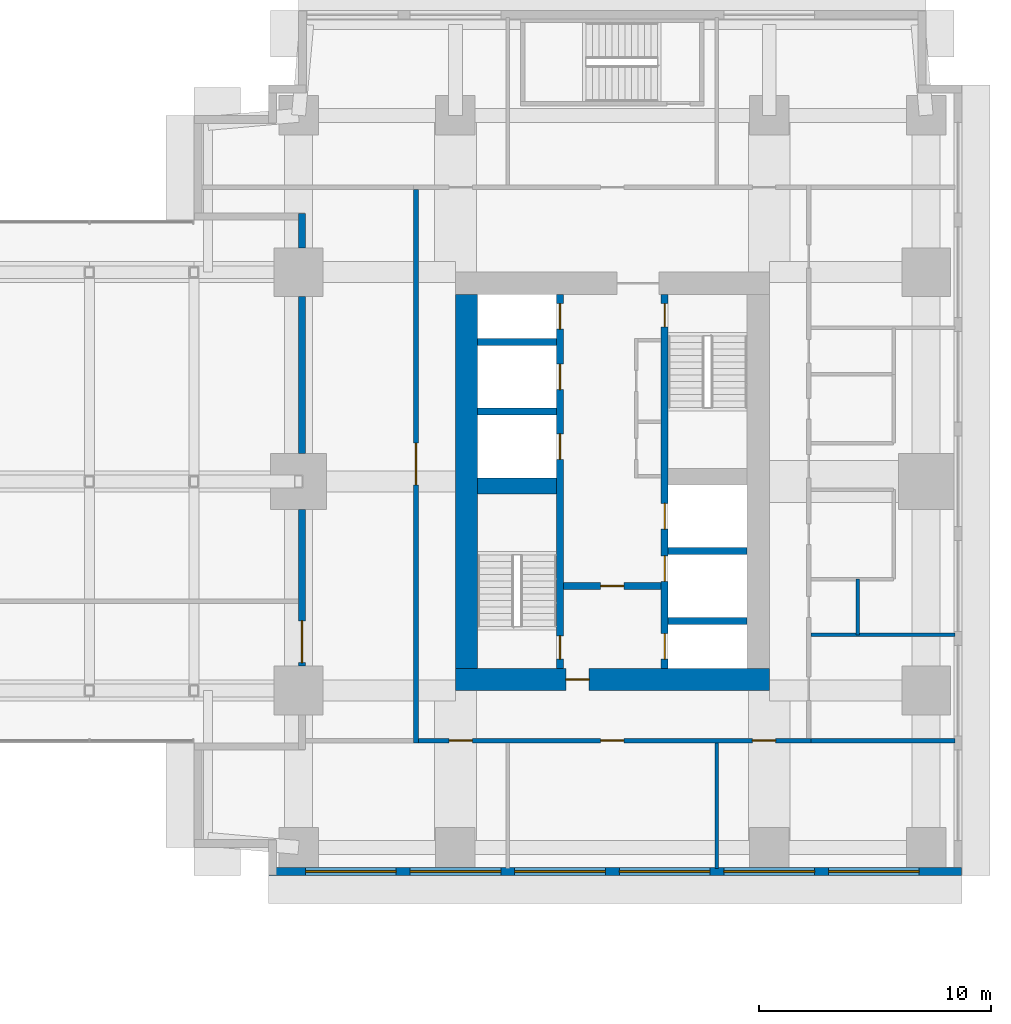
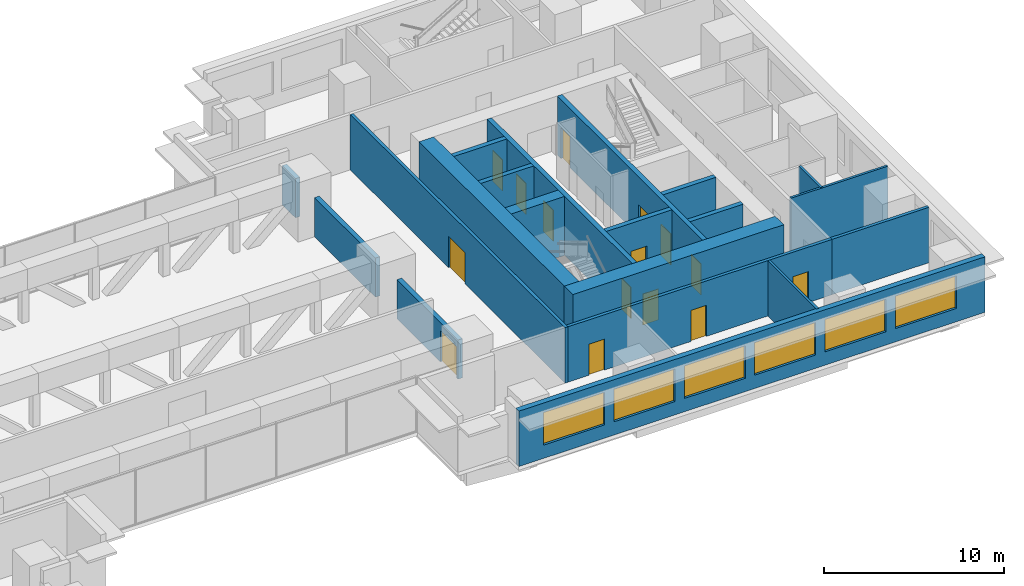
# One storey, part 10 of 15: 20 walls, 15 doors, 6 windows, 21 openings.
"""IFC4 building model written with IfcOpenShell, lengths in metres."""

from ifc_helpers import new_model, si_unit, direction, frame, frame_2d, origin, place, context, subcontext, project, spatial, rectangle, extrude, material, layer, layer_set, type_object, element, fill, save


model = new_model("IFC4")

# Units and contexts
model_context = context("Model", 3, precision=1e-05, world=origin(), true_north=direction((0.0, 1.0)))
body_context = subcontext(model_context, "Body", "Model", "MODEL_VIEW")
ifc_project = project(units=[si_unit("LENGTHUNIT", "METRE"), si_unit("AREAUNIT", "SQUARE_METRE"), si_unit("VOLUMEUNIT", "CUBIC_METRE"), si_unit("PLANEANGLEUNIT", "RADIAN"), si_unit("MASSUNIT", "GRAM", prefix="KILO")], contexts=[model_context])

# Site, building, storey
site_placement = place(None, origin())
site = spatial("IfcSite", under=ifc_project, at=site_placement, CompositionType="ELEMENT")
building_placement = place(site_placement, origin())
building = spatial("IfcBuilding", under=site, at=building_placement, Name="Namib Vertical Campus", CompositionType="ELEMENT")
storey_placement = place(building_placement, frame((0.0, 0.0, 105.0)))
storey = spatial("IfcBuildingStorey", under=building, at=storey_placement, Name="L24", CompositionType="ELEMENT", Elevation=105.0)

# Wall, openings, doors
ifc_material_1 = material(Name="Concrete C60/75", Category="concrete")
ifc_layer_1 = layer(ifc_material_1, 0.300048828125)
ifc_layer_set_1 = layer_set([ifc_layer_1], Name="Concrete C60/75")
wall_type_1 = type_object("IfcWallType", Name="Core inner wall 300", PredefinedType="SHEAR", material=ifc_layer_set_1)
wall_1_placement = place(storey_placement, frame((78.75, 12.199951171875, 0.0), z_axis=(0.0, 0.0, 1.0), x_axis=(0.0, 1.0, 0.0)))
wall_1 = element("IfcWall", 1, at=wall_1_placement, inside=storey, type_object=wall_type_1, Name="Core inner wall B L24 W1", PredefinedType="SHEAR", context=body_context, shape_type="SweptSolid", body=[
    extrude(rectangle(XDim=16.10009765625, YDim=0.300048828125, at=frame_2d((8.050048828125, 0.0))), origin(), (0.0, 0.0, 1.0), 4.0),
])
opening_1_placement = place(wall_1_placement, frame((0.39990234375, 0.0, 0.0)))
opening_1 = element("IfcOpeningElement", 2, at=opening_1_placement, cuts=wall_1, Name="Opening FD1", PredefinedType="OPENING", context=body_context, shape_type="SweptSolid", body=[
    extrude(rectangle(XDim=1.0, YDim=2.10009765625, at=frame_2d((0.5, 1.050048828125))), frame((0.0, 0.159912109375, 0.0), z_axis=(0.0, -1.0, 0.0), x_axis=(1.0, 0.0, 0.0)), (0.0, 0.0, 1.0), 0.320068359375),
])
opening_2_placement = place(wall_1_placement, frame((9.0, 0.0, 0.0)))
opening_2 = element("IfcOpeningElement", 3, at=opening_2_placement, cuts=wall_1, Name="Opening LD1", PredefinedType="OPENING", context=body_context, shape_type="SweptSolid", body=[
    extrude(rectangle(XDim=1.10009765625, YDim=2.10009765625, at=frame_2d((0.550048828125, 1.050048828125))), frame((0.0, 0.159912109375, 0.0), z_axis=(0.0, -1.0, 0.0), x_axis=(1.0, 0.0, 0.0)), (0.0, 0.0, 1.0), 0.320068359375),
])
opening_3_placement = place(wall_1_placement, frame((12.0, 0.0, 0.0)))
opening_3 = element("IfcOpeningElement", 4, at=opening_3_placement, cuts=wall_1, Name="Opening LD1", PredefinedType="OPENING", context=body_context, shape_type="SweptSolid", body=[
    extrude(rectangle(XDim=1.10009765625, YDim=2.10009765625, at=frame_2d((0.550048828125, 1.050048828125))), frame((0.0, 0.159912109375, 0.0), z_axis=(0.0, -1.0, 0.0), x_axis=(1.0, 0.0, 0.0)), (0.0, 0.0, 1.0), 0.320068359375),
])
opening_4_placement = place(wall_1_placement, frame((14.60009765625, 0.0, 0.0)))
opening_4 = element("IfcOpeningElement", 5, at=opening_4_placement, cuts=wall_1, Name="Opening LD1", PredefinedType="OPENING", context=body_context, shape_type="SweptSolid", body=[
    extrude(rectangle(XDim=1.10009765625, YDim=2.10009765625, at=frame_2d((0.550048828125, 1.050048828125))), frame((0.0, 0.159912109375, 0.0), z_axis=(0.0, -1.0, 0.0), x_axis=(1.0, 0.0, 0.0)), (0.0, 0.0, 1.0), 0.320068359375),
])
ifc_material_2 = material(Name="Steel fire door", Category="steel")
door_type_1 = type_object("IfcDoorType", Name="Fire door 1000x2100", OperationType="SINGLE_SWING_RIGHT", PredefinedType="DOOR", material=ifc_material_2)
door_1_placement = place(opening_1_placement, origin())
door_1 = element("IfcDoor", 6, at=door_1_placement, inside=storey, type_object=door_type_1, Name="Stair door FD1 B L24 S1", OperationType="SINGLE_SWING_LEFT", OverallHeight=2.10009765625, OverallWidth=1.0, PredefinedType="DOOR", context=body_context, shape_type="SweptSolid", body=[
    extrude(rectangle(XDim=1.0, YDim=2.10009765625, at=frame_2d((0.5, 1.050048828125))), frame((0.0, 0.02490234375, 0.0), z_axis=(0.0, -1.0, 0.0), x_axis=(1.0, 0.0, 0.0)), (0.0, 0.0, 1.0), 0.050048828125),
])
fill(opening_1, door_1)
ifc_material_3 = material(Name="Stainless steel lift door", Category="steel")
door_type_2 = type_object("IfcDoorType", Name="Lift landing door 1100x2100", OperationType="DOUBLE_DOOR_SLIDING", PredefinedType="DOOR", material=ifc_material_3)
door_2_placement = place(opening_2_placement, origin())
door_2 = element("IfcDoor", 7, at=door_2_placement, inside=storey, type_object=door_type_2, Name="Lift landing door LD1 B-P1 L24", OperationType="DOUBLE_DOOR_SLIDING", OverallHeight=2.10009765625, OverallWidth=1.10009765625, PredefinedType="DOOR", context=body_context, shape_type="SweptSolid", body=[
    extrude(rectangle(XDim=1.10009765625, YDim=2.10009765625, at=frame_2d((0.550048828125, 1.050048828125))), frame((0.0, 0.02490234375, 0.0), z_axis=(0.0, -1.0, 0.0), x_axis=(1.0, 0.0, 0.0)), (0.0, 0.0, 1.0), 0.050048828125),
])
fill(opening_2, door_2)
door_3_placement = place(opening_3_placement, origin())
door_3 = element("IfcDoor", 8, at=door_3_placement, inside=storey, type_object=door_type_2, Name="Lift landing door LD1 B-P2 L24", OperationType="DOUBLE_DOOR_SLIDING", OverallHeight=2.10009765625, OverallWidth=1.10009765625, PredefinedType="DOOR", context=body_context, shape_type="SweptSolid", body=[
    extrude(rectangle(XDim=1.10009765625, YDim=2.10009765625, at=frame_2d((0.550048828125, 1.050048828125))), frame((0.0, 0.02490234375, 0.0), z_axis=(0.0, -1.0, 0.0), x_axis=(1.0, 0.0, 0.0)), (0.0, 0.0, 1.0), 0.050048828125),
])
fill(opening_3, door_3)
door_4_placement = place(opening_4_placement, origin())
door_4 = element("IfcDoor", 9, at=door_4_placement, inside=storey, type_object=door_type_2, Name="Lift landing door LD1 B-P3 L24", OperationType="DOUBLE_DOOR_SLIDING", OverallHeight=2.10009765625, OverallWidth=1.10009765625, PredefinedType="DOOR", context=body_context, shape_type="SweptSolid", body=[
    extrude(rectangle(XDim=1.10009765625, YDim=2.10009765625, at=frame_2d((0.550048828125, 1.050048828125))), frame((0.0, 0.02490234375, 0.0), z_axis=(0.0, -1.0, 0.0), x_axis=(1.0, 0.0, 0.0)), (0.0, 0.0, 1.0), 0.050048828125),
])
fill(opening_4, door_4)

wall_2_placement = place(storey_placement, frame((83.25, 12.199951171875, 0.0), z_axis=(0.0, 0.0, 1.0), x_axis=(0.0, 1.0, 0.0)))
wall_2 = element("IfcWall", 10, at=wall_2_placement, inside=storey, type_object=wall_type_1, Name="Core inner wall B L24 W2", PredefinedType="SHEAR", context=body_context, shape_type="SweptSolid", body=[
    extrude(rectangle(XDim=16.10009765625, YDim=0.300048828125, at=frame_2d((8.050048828125, 0.0))), origin(), (0.0, 0.0, 1.0), 4.0),
])
opening_5_placement = place(wall_2_placement, frame((14.699951171875, 0.0, 0.0)))
opening_5 = element("IfcOpeningElement", 11, at=opening_5_placement, cuts=wall_2, Name="Opening FD1", PredefinedType="OPENING", context=body_context, shape_type="SweptSolid", body=[
    extrude(rectangle(XDim=1.0, YDim=2.10009765625, at=frame_2d((0.5, 1.050048828125))), frame((0.0, 0.159912109375, 0.0), z_axis=(0.0, -1.0, 0.0), x_axis=(1.0, 0.0, 0.0)), (0.0, 0.0, 1.0), 0.320068359375),
])
opening_6_placement = place(wall_2_placement, frame((0.39990234375, 0.0, 0.0)))
opening_6 = element("IfcOpeningElement", 12, at=opening_6_placement, cuts=wall_2, Name="Opening LD1", PredefinedType="OPENING", context=body_context, shape_type="SweptSolid", body=[
    extrude(rectangle(XDim=1.10009765625, YDim=2.10009765625, at=frame_2d((0.550048828125, 1.050048828125))), frame((0.0, 0.159912109375, 0.0), z_axis=(0.0, -1.0, 0.0), x_axis=(1.0, 0.0, 0.0)), (0.0, 0.0, 1.0), 0.320068359375),
])
opening_7_placement = place(wall_2_placement, frame((3.75, 0.0, 0.0)))
opening_7 = element("IfcOpeningElement", 13, at=opening_7_placement, cuts=wall_2, Name="Opening LD1", PredefinedType="OPENING", context=body_context, shape_type="SweptSolid", body=[
    extrude(rectangle(XDim=1.10009765625, YDim=2.10009765625, at=frame_2d((0.550048828125, 1.050048828125))), frame((0.0, 0.159912109375, 0.0), z_axis=(0.0, -1.0, 0.0), x_axis=(1.0, 0.0, 0.0)), (0.0, 0.0, 1.0), 0.320068359375),
])
opening_8_placement = place(wall_2_placement, frame((6.0, 0.0, 0.0)))
opening_8 = element("IfcOpeningElement", 14, at=opening_8_placement, cuts=wall_2, Name="Opening LD1", PredefinedType="OPENING", context=body_context, shape_type="SweptSolid", body=[
    extrude(rectangle(XDim=1.10009765625, YDim=2.10009765625, at=frame_2d((0.550048828125, 1.050048828125))), frame((0.0, 0.159912109375, 0.0), z_axis=(0.0, -1.0, 0.0), x_axis=(1.0, 0.0, 0.0)), (0.0, 0.0, 1.0), 0.320068359375),
])
door_5_placement = place(opening_5_placement, frame((1.0, 0.0, 0.0), z_axis=(0.0, 0.0, 1.0), x_axis=(-1.0, 0.0, 0.0)))
door_5 = element("IfcDoor", 15, at=door_5_placement, inside=storey, type_object=door_type_1, Name="Stair door FD1 B L24 S2", OperationType="SINGLE_SWING_LEFT", OverallHeight=2.10009765625, OverallWidth=1.0, PredefinedType="DOOR", context=body_context, shape_type="SweptSolid", body=[
    extrude(rectangle(XDim=1.0, YDim=2.10009765625, at=frame_2d((0.5, 1.050048828125))), frame((0.0, 0.02490234375, 0.0), z_axis=(0.0, -1.0, 0.0), x_axis=(1.0, 0.0, 0.0)), (0.0, 0.0, 1.0), 0.050048828125),
])
fill(opening_5, door_5)
door_6_placement = place(opening_6_placement, origin())
door_6 = element("IfcDoor", 16, at=door_6_placement, inside=storey, type_object=door_type_2, Name="Lift landing door LD1 B-FL1 L24", OperationType="DOUBLE_DOOR_SLIDING", OverallHeight=2.10009765625, OverallWidth=1.10009765625, PredefinedType="DOOR", context=body_context, shape_type="SweptSolid", body=[
    extrude(rectangle(XDim=1.10009765625, YDim=2.10009765625, at=frame_2d((0.550048828125, 1.050048828125))), frame((0.0, 0.02490234375, 0.0), z_axis=(0.0, -1.0, 0.0), x_axis=(1.0, 0.0, 0.0)), (0.0, 0.0, 1.0), 0.050048828125),
])
fill(opening_6, door_6)
door_7_placement = place(opening_7_placement, origin())
door_7 = element("IfcDoor", 17, at=door_7_placement, inside=storey, type_object=door_type_2, Name="Lift landing door LD1 B-P4 L24", OperationType="DOUBLE_DOOR_SLIDING", OverallHeight=2.10009765625, OverallWidth=1.10009765625, PredefinedType="DOOR", context=body_context, shape_type="SweptSolid", body=[
    extrude(rectangle(XDim=1.10009765625, YDim=2.10009765625, at=frame_2d((0.550048828125, 1.050048828125))), frame((0.0, 0.02490234375, 0.0), z_axis=(0.0, -1.0, 0.0), x_axis=(1.0, 0.0, 0.0)), (0.0, 0.0, 1.0), 0.050048828125),
])
fill(opening_7, door_7)
door_8_placement = place(opening_8_placement, origin())
door_8 = element("IfcDoor", 18, at=door_8_placement, inside=storey, type_object=door_type_2, Name="Lift landing door LD1 B-P5 L24", OperationType="DOUBLE_DOOR_SLIDING", OverallHeight=2.10009765625, OverallWidth=1.10009765625, PredefinedType="DOOR", context=body_context, shape_type="SweptSolid", body=[
    extrude(rectangle(XDim=1.10009765625, YDim=2.10009765625, at=frame_2d((0.550048828125, 1.050048828125))), frame((0.0, 0.02490234375, 0.0), z_axis=(0.0, -1.0, 0.0), x_axis=(1.0, 0.0, 0.0)), (0.0, 0.0, 1.0), 0.050048828125),
])
fill(opening_8, door_8)

# Wall, opening, door
wall_3_placement = place(storey_placement, frame((78.89990234375, 15.75, 0.0), z_axis=(0.0, 0.0, 1.0), x_axis=(1.0, 0.0, 0.0)))
wall_3 = element("IfcWall", 19, at=wall_3_placement, inside=storey, type_object=wall_type_1, Name="Core inner wall B L24 W4", PredefinedType="SHEAR", context=body_context, shape_type="SweptSolid", body=[
    extrude(rectangle(XDim=4.2001953125, YDim=0.300048828125, at=frame_2d((2.10009765625, 0.0))), origin(), (0.0, 0.0, 1.0), 4.0),
])
opening_9_placement = place(wall_3_placement, frame((1.60009765625, 0.0, 0.0)))
opening_9 = element("IfcOpeningElement", 20, at=opening_9_placement, cuts=wall_3, Name="Opening FD5", PredefinedType="OPENING", context=body_context, shape_type="SweptSolid", body=[
    extrude(rectangle(XDim=1.0, YDim=2.10009765625, at=frame_2d((0.5, 1.050048828125))), frame((0.0, 0.159912109375, 0.0), z_axis=(0.0, -1.0, 0.0), x_axis=(1.0, 0.0, 0.0)), (0.0, 0.0, 1.0), 0.320068359375),
])
ifc_material_4 = material(Name="Steel fire door", Category="steel")
door_type_3 = type_object("IfcDoorType", Name="Fire door 1000x2100 120 min", OperationType="SINGLE_SWING_RIGHT", PredefinedType="DOOR", material=ifc_material_4)
door_9_placement = place(opening_9_placement, frame((1.0, 0.0, 0.0), z_axis=(0.0, 0.0, 1.0), x_axis=(-1.0, 0.0, 0.0)))
door_9 = element("IfcDoor", 21, at=door_9_placement, inside=storey, type_object=door_type_3, Name="Lobby door FD5 B L24", OperationType="SINGLE_SWING_RIGHT", OverallHeight=2.10009765625, OverallWidth=1.0, PredefinedType="DOOR", context=body_context, shape_type="SweptSolid", body=[
    extrude(rectangle(XDim=1.0, YDim=2.10009765625, at=frame_2d((0.5, 1.050048828125))), frame((0.0, 0.02490234375, 0.0), z_axis=(0.0, -1.0, 0.0), x_axis=(1.0, 0.0, 0.0)), (0.0, 0.0, 1.0), 0.050048828125),
])
fill(opening_9, door_9)

# Walls
for number, where, z_axis, x_axis, name in (
    (22, (83.39990234375, 14.25, 0.0), (0.0, 0.0, 1.0), (1.0, 0.0, 0.0), "Core inner wall B L24 W5"),
    (23, (83.39990234375, 17.25, 0.0), (0.0, 0.0, 1.0), (1.0, 0.0, 0.0), "Core inner wall B L24 W6"),
    (24, (75.199951171875, 23.25, 0.0), (0.0, 0.0, 1.0), (1.0, 0.0, 0.0), "Core inner wall B L24 W8"),
    (25, (75.199951171875, 26.25, 0.0), (0.0, 0.0, 1.0), (1.0, 0.0, 0.0), "Core inner wall B L24 W9"),
):
    element("IfcWall", number, at=place(storey_placement, frame(where, z_axis=z_axis, x_axis=x_axis)), inside=storey, type_object=wall_type_1, Name=name, PredefinedType="SHEAR", context=body_context, shape_type="SweptSolid", body=[
        extrude(rectangle(XDim=3.400146484375, YDim=0.300048828125, at=frame_2d((1.7001953125, 0.0))), origin(), (0.0, 0.0, 1.0), 4.0),
    ])
ifc_material_5 = material(Name="Concrete C60/75", Category="concrete")
ifc_layer_2 = layer(ifc_material_5, 0.699951171875)
ifc_layer_set_2 = layer_set([ifc_layer_2], Name="Concrete C60/75")
wall_type_2 = type_object("IfcWallType", Name="Core shear wall 700", PredefinedType="SHEAR", material=ifc_layer_set_2)
wall_4_placement = place(storey_placement, frame((75.199951171875, 20.050048828125, 0.0), z_axis=(0.0, 0.0, 1.0), x_axis=(1.0, 0.0, 0.0)))
element("IfcWall", 26, at=wall_4_placement, inside=storey, type_object=wall_type_2, Name="Core shear wall B L24 W3", PredefinedType="SHEAR", context=body_context, shape_type="SweptSolid", body=[
    extrude(rectangle(XDim=3.400146484375, YDim=0.699951171875, at=frame_2d((1.7001953125, 0.0))), origin(), (0.0, 0.0, 1.0), 4.0),
])

# Wall, opening, door
ifc_material_6 = material(Name="Concrete C60/75", Category="concrete")
ifc_layer_3 = layer(ifc_material_6, 0.949951171875)
ifc_layer_set_3 = layer_set([ifc_layer_3], Name="Concrete C60/75")
wall_type_3 = type_object("IfcWallType", Name="Core wall 950", PredefinedType="SHEAR", material=ifc_layer_set_3)
wall_5_placement = place(storey_placement, frame((74.25, 11.72509765625, 0.0), z_axis=(0.0, 0.0, 1.0), x_axis=(1.0, 0.0, 0.0)))
wall_5 = element("IfcWall", 27, at=wall_5_placement, inside=storey, type_object=wall_type_3, Name="Core wall B L24 1", PredefinedType="SHEAR", context=body_context, shape_type="SweptSolid", body=[
    extrude(rectangle(XDim=13.5, YDim=0.949951171875, at=frame_2d((6.75, 0.0))), origin(), (0.0, 0.0, 1.0), 4.0),
])
opening_10_placement = place(wall_5_placement, frame((4.75, 0.0, 0.0)))
opening_10 = element("IfcOpeningElement", 28, at=opening_10_placement, cuts=wall_5, Name="Opening FD5", PredefinedType="OPENING", context=body_context, shape_type="SweptSolid", body=[
    extrude(rectangle(XDim=1.0, YDim=2.10009765625, at=frame_2d((0.5, 1.050048828125))), frame((0.0, 0.48486328125, 0.0), z_axis=(0.0, -1.0, 0.0), x_axis=(1.0, 0.0, 0.0)), (0.0, 0.0, 1.0), 0.969970703125),
])
door_10_placement = place(opening_10_placement, origin())
door_10 = element("IfcDoor", 29, at=door_10_placement, inside=storey, type_object=door_type_3, Name="Firefighting lobby door FD5 B L24", OperationType="SINGLE_SWING_LEFT", OverallHeight=2.10009765625, OverallWidth=1.0, PredefinedType="DOOR", context=body_context, shape_type="SweptSolid", body=[
    extrude(rectangle(XDim=1.0, YDim=2.10009765625, at=frame_2d((0.5, 1.050048828125))), frame((0.0, 0.02490234375, 0.0), z_axis=(0.0, -1.0, 0.0), x_axis=(1.0, 0.0, 0.0)), (0.0, 0.0, 1.0), 0.050048828125),
])
fill(opening_10, door_10)

# Wall
wall_6_placement = place(storey_placement, frame((74.72509765625, 28.300048828125, 0.0), z_axis=(0.0, 0.0, 1.0), x_axis=(0.0, -1.0, 0.0)))
element("IfcWall", 30, at=wall_6_placement, inside=storey, type_object=wall_type_3, Name="Core wall B L24 4", PredefinedType="SHEAR", context=body_context, shape_type="SweptSolid", body=[
    extrude(rectangle(XDim=16.10009765625, YDim=0.949951171875, at=frame_2d((8.050048828125, 0.0))), origin(), (0.0, 0.0, 1.0), 4.0),
])

# Wall, openings, doors
ifc_material_7 = material(Name="Concrete masonry", Category="masonry")
ifc_layer_4 = layer(ifc_material_7, 0.199951171875)
ifc_layer_set_4 = layer_set([ifc_layer_4], Name="Corridor wall 200")
wall_type_4 = type_object("IfcWallType", Name="Corridor wall 200", PredefinedType="SOLIDWALL", material=ifc_layer_set_4)
wall_7_placement = place(storey_placement, frame((72.64990234375, 9.10009765625, 0.0), z_axis=(0.0, 0.0, 1.0), x_axis=(1.0, 0.0, 0.0)))
wall_7 = element("IfcWall", 31, at=wall_7_placement, inside=storey, type_object=wall_type_4, Name="Corridor wall B L24 CS", PredefinedType="SOLIDWALL", context=body_context, shape_type="SweptSolid", body=[
    extrude(rectangle(XDim=16.900146484375, YDim=0.199951171875, at=frame_2d((8.4501953125, 0.0))), origin(), (0.0, 0.0, 1.0), 3.75),
])
opening_11_placement = place(wall_7_placement, frame((1.324951171875, 0.0, 0.0)))
opening_11 = element("IfcOpeningElement", 32, at=opening_11_placement, cuts=wall_7, Name="Opening CD1", PredefinedType="OPENING", context=body_context, shape_type="SweptSolid", body=[
    extrude(rectangle(XDim=1.0, YDim=2.10009765625, at=frame_2d((0.5, 1.050048828125))), frame((0.0, 0.10986328125, 0.0), z_axis=(0.0, -1.0, 0.0), x_axis=(1.0, 0.0, 0.0)), (0.0, 0.0, 1.0), 0.219970703125),
])
opening_12_placement = place(wall_7_placement, frame((7.85009765625, 0.0, 0.0)))
opening_12 = element("IfcOpeningElement", 33, at=opening_12_placement, cuts=wall_7, Name="Opening CD1", PredefinedType="OPENING", context=body_context, shape_type="SweptSolid", body=[
    extrude(rectangle(XDim=1.0, YDim=2.10009765625, at=frame_2d((0.5, 1.050048828125))), frame((0.0, 0.10986328125, 0.0), z_axis=(0.0, -1.0, 0.0), x_axis=(1.0, 0.0, 0.0)), (0.0, 0.0, 1.0), 0.219970703125),
])
opening_13_placement = place(wall_7_placement, frame((14.375, 0.0, 0.0)))
opening_13 = element("IfcOpeningElement", 34, at=opening_13_placement, cuts=wall_7, Name="Opening CD1", PredefinedType="OPENING", context=body_context, shape_type="SweptSolid", body=[
    extrude(rectangle(XDim=1.0, YDim=2.10009765625, at=frame_2d((0.5, 1.050048828125))), frame((0.0, 0.10986328125, 0.0), z_axis=(0.0, -1.0, 0.0), x_axis=(1.0, 0.0, 0.0)), (0.0, 0.0, 1.0), 0.219970703125),
])
ifc_material_8 = material(Name="Timber fire door leaf", Category="wood")
door_type_4 = type_object("IfcDoorType", Name="Corridor door 1000x2100 20 min", OperationType="SINGLE_SWING_LEFT", PredefinedType="DOOR", material=ifc_material_8)
door_11_placement = place(opening_11_placement, frame((1.0, 0.0, 0.0), z_axis=(0.0, 0.0, 1.0), x_axis=(-1.0, 0.0, 0.0)))
door_11 = element("IfcDoor", 35, at=door_11_placement, inside=storey, type_object=door_type_4, Name="Door CD1 B24-01", OperationType="SINGLE_SWING_LEFT", OverallHeight=2.10009765625, OverallWidth=1.0, PredefinedType="DOOR", context=body_context, shape_type="SweptSolid", body=[
    extrude(rectangle(XDim=1.0, YDim=2.10009765625, at=frame_2d((0.5, 1.050048828125))), frame((0.0, 0.02490234375, 0.0), z_axis=(0.0, -1.0, 0.0), x_axis=(1.0, 0.0, 0.0)), (0.0, 0.0, 1.0), 0.050048828125),
])
fill(opening_11, door_11)
door_12_placement = place(opening_12_placement, frame((1.0, 0.0, 0.0), z_axis=(0.0, 0.0, 1.0), x_axis=(-1.0, 0.0, 0.0)))
door_12 = element("IfcDoor", 36, at=door_12_placement, inside=storey, type_object=door_type_4, Name="Door CD1 B24-02", OperationType="SINGLE_SWING_RIGHT", OverallHeight=2.10009765625, OverallWidth=1.0, PredefinedType="DOOR", context=body_context, shape_type="SweptSolid", body=[
    extrude(rectangle(XDim=1.0, YDim=2.10009765625, at=frame_2d((0.5, 1.050048828125))), frame((0.0, 0.02490234375, 0.0), z_axis=(0.0, -1.0, 0.0), x_axis=(1.0, 0.0, 0.0)), (0.0, 0.0, 1.0), 0.050048828125),
])
fill(opening_12, door_12)
door_13_placement = place(opening_13_placement, frame((1.0, 0.0, 0.0), z_axis=(0.0, 0.0, 1.0), x_axis=(-1.0, 0.0, 0.0)))
door_13 = element("IfcDoor", 37, at=door_13_placement, inside=storey, type_object=door_type_4, Name="Door CD1 B24-03", OperationType="SINGLE_SWING_RIGHT", OverallHeight=2.10009765625, OverallWidth=1.0, PredefinedType="DOOR", context=body_context, shape_type="SweptSolid", body=[
    extrude(rectangle(XDim=1.0, YDim=2.10009765625, at=frame_2d((0.5, 1.050048828125))), frame((0.0, 0.02490234375, 0.0), z_axis=(0.0, -1.0, 0.0), x_axis=(1.0, 0.0, 0.0)), (0.0, 0.0, 1.0), 0.050048828125),
])
fill(opening_13, door_13)

# Wall, opening, door
wall_8_placement = place(storey_placement, frame((72.550048828125, 32.800048828125, 0.0), z_axis=(0.0, 0.0, 1.0), x_axis=(0.0, -1.0, 0.0)))
wall_8 = element("IfcWall", 38, at=wall_8_placement, inside=storey, type_object=wall_type_4, Name="Corridor wall B L24 CW", PredefinedType="SOLIDWALL", context=body_context, shape_type="SweptSolid", body=[
    extrude(rectangle(XDim=23.800048828125, YDim=0.199951171875, at=frame_2d((11.89990234375, 0.0))), origin(), (0.0, 0.0, 1.0), 3.75),
])
opening_14_placement = place(wall_8_placement, frame((10.89990234375, 0.0, 0.0)))
opening_14 = element("IfcOpeningElement", 39, at=opening_14_placement, cuts=wall_8, Name="Opening FD2", PredefinedType="OPENING", context=body_context, shape_type="SweptSolid", body=[
    extrude(rectangle(XDim=1.800048828125, YDim=2.10009765625, at=frame_2d((0.89990234375, 1.050048828125))), frame((0.0, 0.10986328125, 0.0), z_axis=(0.0, -1.0, 0.0), x_axis=(1.0, 0.0, 0.0)), (0.0, 0.0, 1.0), 0.219970703125),
])
ifc_material_9 = material(Name="Steel fire door", Category="steel")
door_type_5 = type_object("IfcDoorType", Name="Fire door double 1800x2100", OperationType="DOUBLE_DOOR_SINGLE_SWING", PredefinedType="DOOR", material=ifc_material_9)
door_14_placement = place(opening_14_placement, origin())
door_14 = element("IfcDoor", 40, at=door_14_placement, inside=storey, type_object=door_type_5, Name="Door FD2 B24-14", OperationType="DOUBLE_DOOR_SINGLE_SWING", OverallHeight=2.10009765625, OverallWidth=1.800048828125, PredefinedType="DOOR", context=body_context, shape_type="SweptSolid", body=[
    extrude(rectangle(XDim=1.800048828125, YDim=2.10009765625, at=frame_2d((0.89990234375, 1.050048828125))), frame((0.0, 0.02490234375, 0.0), z_axis=(0.0, -1.0, 0.0), x_axis=(1.0, 0.0, 0.0)), (0.0, 0.0, 1.0), 0.050048828125),
])
fill(opening_14, door_14)

# Wall
wall_9_placement = place(storey_placement, frame((89.550048828125, 9.10009765625, 0.0), z_axis=(0.0, 0.0, 1.0), x_axis=(1.0, 0.0, 0.0)))
element("IfcWall", 41, at=wall_9_placement, inside=storey, type_object=wall_type_4, Name="Partition B L24 BSE", PredefinedType="SOLIDWALL", context=body_context, shape_type="SweptSolid", body=[
    extrude(rectangle(XDim=6.199951171875, YDim=0.199951171875, at=frame_2d((3.10009765625, 0.0))), origin(), (0.0, 0.0, 1.0), 3.75),
])

# Wall, openings, windows
ifc_material_10 = material(Name="Concrete C40/50", Category="concrete")
ifc_layer_5 = layer(ifc_material_10, 0.35009765625)
ifc_layer_set_5 = layer_set([ifc_layer_5], Name="Concrete C40/50")
wall_type_5 = type_object("IfcWallType", Name="External wall 350 bush-hammered concrete", PredefinedType="STANDARD", material=ifc_layer_set_5)
wall_10_placement = place(storey_placement, frame((66.219970703125, 3.47509765625, 0.0), z_axis=(0.0, 0.0, 1.0), x_axis=(1.0, 0.0, 0.0)))
wall_10 = element("IfcWall", 42, at=wall_10_placement, inside=storey, type_object=wall_type_5, Name="External wall L24 F04", PredefinedType="STANDARD", context=body_context, shape_type="SweptSolid", body=[
    extrude(rectangle(XDim=29.81005859375, YDim=0.35009765625, at=frame_2d((14.905029296875, 0.0))), origin(), (0.0, 0.0, 1.0), 3.75),
])
opening_15_placement = place(wall_10_placement, frame((1.580078125, 0.0, 0.89990234375)))
opening_15 = element("IfcOpeningElement", 43, at=opening_15_placement, cuts=wall_10, Name="Opening W1", PredefinedType="OPENING", context=body_context, shape_type="SweptSolid", body=[
    extrude(rectangle(XDim=3.89990234375, YDim=2.199951171875, at=frame_2d((1.949951171875, 1.10009765625))), frame((0.0, 0.18505859375, 0.0), z_axis=(0.0, -1.0, 0.0), x_axis=(1.0, 0.0, 0.0)), (0.0, 0.0, 1.0), 0.3701171875),
])
opening_16_placement = place(wall_10_placement, frame((6.080078125, 0.0, 0.89990234375)))
opening_16 = element("IfcOpeningElement", 44, at=opening_16_placement, cuts=wall_10, Name="Opening W1", PredefinedType="OPENING", context=body_context, shape_type="SweptSolid", body=[
    extrude(rectangle(XDim=3.89990234375, YDim=2.199951171875, at=frame_2d((1.949951171875, 1.10009765625))), frame((0.0, 0.18505859375, 0.0), z_axis=(0.0, -1.0, 0.0), x_axis=(1.0, 0.0, 0.0)), (0.0, 0.0, 1.0), 0.3701171875),
])
opening_17_placement = place(wall_10_placement, frame((10.580078125, 0.0, 0.89990234375)))
opening_17 = element("IfcOpeningElement", 45, at=opening_17_placement, cuts=wall_10, Name="Opening W1", PredefinedType="OPENING", context=body_context, shape_type="SweptSolid", body=[
    extrude(rectangle(XDim=3.89990234375, YDim=2.199951171875, at=frame_2d((1.949951171875, 1.10009765625))), frame((0.0, 0.18505859375, 0.0), z_axis=(0.0, -1.0, 0.0), x_axis=(1.0, 0.0, 0.0)), (0.0, 0.0, 1.0), 0.3701171875),
])
opening_18_placement = place(wall_10_placement, frame((15.080078125, 0.0, 0.89990234375)))
opening_18 = element("IfcOpeningElement", 46, at=opening_18_placement, cuts=wall_10, Name="Opening W1", PredefinedType="OPENING", context=body_context, shape_type="SweptSolid", body=[
    extrude(rectangle(XDim=3.89990234375, YDim=2.199951171875, at=frame_2d((1.949951171875, 1.10009765625))), frame((0.0, 0.18505859375, 0.0), z_axis=(0.0, -1.0, 0.0), x_axis=(1.0, 0.0, 0.0)), (0.0, 0.0, 1.0), 0.3701171875),
])
opening_19_placement = place(wall_10_placement, frame((19.580078125, 0.0, 0.89990234375)))
opening_19 = element("IfcOpeningElement", 47, at=opening_19_placement, cuts=wall_10, Name="Opening W1", PredefinedType="OPENING", context=body_context, shape_type="SweptSolid", body=[
    extrude(rectangle(XDim=3.89990234375, YDim=2.199951171875, at=frame_2d((1.949951171875, 1.10009765625))), frame((0.0, 0.18505859375, 0.0), z_axis=(0.0, -1.0, 0.0), x_axis=(1.0, 0.0, 0.0)), (0.0, 0.0, 1.0), 0.3701171875),
])
opening_20_placement = place(wall_10_placement, frame((24.080078125, 0.0, 0.89990234375)))
opening_20 = element("IfcOpeningElement", 48, at=opening_20_placement, cuts=wall_10, Name="Opening W1", PredefinedType="OPENING", context=body_context, shape_type="SweptSolid", body=[
    extrude(rectangle(XDim=3.89990234375, YDim=2.199951171875, at=frame_2d((1.949951171875, 1.10009765625))), frame((0.0, 0.18505859375, 0.0), z_axis=(0.0, -1.0, 0.0), x_axis=(1.0, 0.0, 0.0)), (0.0, 0.0, 1.0), 0.3701171875),
])
ifc_material_11 = material(Name="Dark tinted glass in black aluminium frame", Category="aluminium")
window_type = type_object("IfcWindowType", Name="Ribbon window 3900x2200", PartitioningType="SINGLE_PANEL", PredefinedType="WINDOW", material=ifc_material_11)
window_1_placement = place(opening_15_placement, origin())
window_1 = element("IfcWindow", 49, at=window_1_placement, inside=storey, type_object=window_type, Name="Window W1 L24 F04-1", OverallHeight=2.199951171875, OverallWidth=3.89990234375, PartitioningType="SINGLE_PANEL", PredefinedType="WINDOW", context=body_context, shape_type="SweptSolid", body=[
    extrude(rectangle(XDim=3.89990234375, YDim=2.199951171875, at=frame_2d((1.949951171875, 1.10009765625))), frame((0.0, 0.030029296875, 0.0), z_axis=(0.0, -1.0, 0.0), x_axis=(1.0, 0.0, 0.0)), (0.0, 0.0, 1.0), 0.06005859375),
])
fill(opening_15, window_1)
window_2_placement = place(opening_16_placement, origin())
window_2 = element("IfcWindow", 50, at=window_2_placement, inside=storey, type_object=window_type, Name="Window W1 L24 F04-2", OverallHeight=2.199951171875, OverallWidth=3.89990234375, PartitioningType="SINGLE_PANEL", PredefinedType="WINDOW", context=body_context, shape_type="SweptSolid", body=[
    extrude(rectangle(XDim=3.89990234375, YDim=2.199951171875, at=frame_2d((1.949951171875, 1.10009765625))), frame((0.0, 0.030029296875, 0.0), z_axis=(0.0, -1.0, 0.0), x_axis=(1.0, 0.0, 0.0)), (0.0, 0.0, 1.0), 0.06005859375),
])
fill(opening_16, window_2)
window_3_placement = place(opening_17_placement, origin())
window_3 = element("IfcWindow", 51, at=window_3_placement, inside=storey, type_object=window_type, Name="Window W1 L24 F04-3", OverallHeight=2.199951171875, OverallWidth=3.89990234375, PartitioningType="SINGLE_PANEL", PredefinedType="WINDOW", context=body_context, shape_type="SweptSolid", body=[
    extrude(rectangle(XDim=3.89990234375, YDim=2.199951171875, at=frame_2d((1.949951171875, 1.10009765625))), frame((0.0, 0.030029296875, 0.0), z_axis=(0.0, -1.0, 0.0), x_axis=(1.0, 0.0, 0.0)), (0.0, 0.0, 1.0), 0.06005859375),
])
fill(opening_17, window_3)
window_4_placement = place(opening_18_placement, origin())
window_4 = element("IfcWindow", 52, at=window_4_placement, inside=storey, type_object=window_type, Name="Window W1 L24 F04-4", OverallHeight=2.199951171875, OverallWidth=3.89990234375, PartitioningType="SINGLE_PANEL", PredefinedType="WINDOW", context=body_context, shape_type="SweptSolid", body=[
    extrude(rectangle(XDim=3.89990234375, YDim=2.199951171875, at=frame_2d((1.949951171875, 1.10009765625))), frame((0.0, 0.030029296875, 0.0), z_axis=(0.0, -1.0, 0.0), x_axis=(1.0, 0.0, 0.0)), (0.0, 0.0, 1.0), 0.06005859375),
])
fill(opening_18, window_4)
window_5_placement = place(opening_19_placement, origin())
window_5 = element("IfcWindow", 53, at=window_5_placement, inside=storey, type_object=window_type, Name="Window W1 L24 F04-5", OverallHeight=2.199951171875, OverallWidth=3.89990234375, PartitioningType="SINGLE_PANEL", PredefinedType="WINDOW", context=body_context, shape_type="SweptSolid", body=[
    extrude(rectangle(XDim=3.89990234375, YDim=2.199951171875, at=frame_2d((1.949951171875, 1.10009765625))), frame((0.0, 0.030029296875, 0.0), z_axis=(0.0, -1.0, 0.0), x_axis=(1.0, 0.0, 0.0)), (0.0, 0.0, 1.0), 0.06005859375),
])
fill(opening_19, window_5)
window_6_placement = place(opening_20_placement, origin())
window_6 = element("IfcWindow", 54, at=window_6_placement, inside=storey, type_object=window_type, Name="Window W1 L24 F04-6", OverallHeight=2.199951171875, OverallWidth=3.89990234375, PartitioningType="SINGLE_PANEL", PredefinedType="WINDOW", context=body_context, shape_type="SweptSolid", body=[
    extrude(rectangle(XDim=3.89990234375, YDim=2.199951171875, at=frame_2d((1.949951171875, 1.10009765625))), frame((0.0, 0.030029296875, 0.0), z_axis=(0.0, -1.0, 0.0), x_axis=(1.0, 0.0, 0.0)), (0.0, 0.0, 1.0), 0.06005859375),
])
fill(opening_20, window_6)

# Walls
ifc_material_12 = material(Name="Concrete masonry", Category="masonry")
ifc_layer_6 = layer(ifc_material_12, 0.300048828125)
ifc_layer_set_6 = layer_set([ifc_layer_6], Name="Fire wall 300")
wall_type_6 = type_object("IfcWallType", Name="Fire wall 300", PredefinedType="SOLIDWALL", material=ifc_layer_set_6)
wall_11_placement = place(storey_placement, frame((67.64990234375, 31.780029296875, 0.0), z_axis=(0.0, 0.0, 1.0), x_axis=(0.0, -1.0, 0.0)))
element("IfcWall", 55, at=wall_11_placement, inside=storey, type_object=wall_type_6, Name="External wall L24 F15", PredefinedType="SOLIDWALL", context=body_context, shape_type="SweptSolid", body=[
    extrude(rectangle(XDim=1.47998046875, YDim=0.300048828125, at=frame_2d((0.739990234375, 0.0))), origin(), (0.0, 0.0, 1.0), 2.64990234375),
])
wall_12_placement = place(storey_placement, frame((67.64990234375, 28.199951171875, 0.0), z_axis=(0.0, 0.0, 1.0), x_axis=(0.0, -1.0, 0.0)))
element("IfcWall", 56, at=wall_12_placement, inside=storey, type_object=wall_type_6, Name="External wall L24 F15", PredefinedType="SOLIDWALL", context=body_context, shape_type="SweptSolid", body=[
    extrude(rectangle(XDim=6.75, YDim=0.300048828125, at=frame_2d((3.375, 0.0))), origin(), (0.0, 0.0, 1.0), 2.64990234375),
])

# Wall, opening, door
wall_13_placement = place(storey_placement, frame((67.64990234375, 19.050048828125, 0.0), z_axis=(0.0, 0.0, 1.0), x_axis=(0.0, -1.0, 0.0)))
wall_13 = element("IfcWall", 57, at=wall_13_placement, inside=storey, type_object=wall_type_6, Name="External wall L24 F15", PredefinedType="SOLIDWALL", context=body_context, shape_type="SweptSolid", body=[
    extrude(rectangle(XDim=6.75, YDim=0.300048828125, at=frame_2d((3.375, 0.0))), origin(), (0.0, 0.0, 1.0), 2.64990234375),
])
opening_21_placement = place(wall_13_placement, frame((4.800048828125, 0.0, 0.0)))
opening_21 = element("IfcOpeningElement", 58, at=opening_21_placement, cuts=wall_13, Name="Opening FD4", PredefinedType="OPENING", context=body_context, shape_type="SweptSolid", body=[
    extrude(rectangle(XDim=1.800048828125, YDim=2.10009765625, at=frame_2d((0.89990234375, 1.050048828125))), frame((0.0, 0.159912109375, 0.0), z_axis=(0.0, -1.0, 0.0), x_axis=(1.0, 0.0, 0.0)), (0.0, 0.0, 1.0), 0.320068359375),
])
ifc_material_13 = material(Name="Steel fire door", Category="steel")
door_type_6 = type_object("IfcDoorType", Name="Fire door double 1800x2100 120 min", OperationType="DOUBLE_DOOR_SINGLE_SWING", PredefinedType="DOOR", material=ifc_material_13)
door_15_placement = place(opening_21_placement, origin())
door_15 = element("IfcDoor", 59, at=door_15_placement, inside=storey, type_object=door_type_6, Name="Bridge fire door FD4 B L24", OperationType="DOUBLE_DOOR_SINGLE_SWING", OverallHeight=2.10009765625, OverallWidth=1.800048828125, PredefinedType="DOOR", context=body_context, shape_type="SweptSolid", body=[
    extrude(rectangle(XDim=1.800048828125, YDim=2.10009765625, at=frame_2d((0.89990234375, 1.050048828125))), frame((0.0, 0.02490234375, 0.0), z_axis=(0.0, -1.0, 0.0), x_axis=(1.0, 0.0, 0.0)), (0.0, 0.0, 1.0), 0.050048828125),
])
fill(opening_21, door_15)

# Walls
ifc_material_14 = material(Name="Gypsum board on steel studs", Category="steel")
ifc_layer_7 = layer(ifc_material_14, 0.14990234375)
ifc_layer_set_7 = layer_set([ifc_layer_7], Name="Gypsum board on steel studs")
wall_type_7 = type_object("IfcWallType", Name="Partition 150", PredefinedType="PARTITIONING", material=ifc_layer_set_7)
wall_14_placement = place(storey_placement, frame((85.5, 3.60009765625, 0.0), z_axis=(0.0, 0.0, 1.0), x_axis=(0.0, 1.0, 0.0)))
element("IfcWall", 60, at=wall_14_placement, inside=storey, type_object=wall_type_7, Name="Partition B L24 PS2", PredefinedType="PARTITIONING", context=body_context, shape_type="SweptSolid", body=[
    extrude(rectangle(XDim=5.39990234375, YDim=0.14990234375, at=frame_2d((2.699951171875, 0.0))), origin(), (0.0, 0.0, 1.0), 3.75),
])
wall_15_placement = place(storey_placement, frame((89.550048828125, 13.64990234375, 0.0), z_axis=(0.0, 0.0, 1.0), x_axis=(1.0, 0.0, 0.0)))
element("IfcWall", 61, at=wall_15_placement, inside=storey, type_object=wall_type_7, Name="Partition B L24 PE1", PredefinedType="PARTITIONING", context=body_context, shape_type="SweptSolid", body=[
    extrude(rectangle(XDim=6.199951171875, YDim=0.14990234375, at=frame_2d((3.10009765625, 0.0))), origin(), (0.0, 0.0, 1.0), 3.75),
])
wall_16_placement = place(storey_placement, frame((91.550048828125, 13.64990234375, 0.0), z_axis=(0.0, 0.0, 1.0), x_axis=(0.0, 1.0, 0.0)))
element("IfcWall", 62, at=wall_16_placement, inside=storey, type_object=wall_type_7, Name="Partition B L24 WB1", PredefinedType="PARTITIONING", context=body_context, shape_type="SweptSolid", body=[
    extrude(rectangle(XDim=2.400146484375, YDim=0.14990234375, at=frame_2d((1.2001953125, 0.0))), origin(), (0.0, 0.0, 1.0), 3.75),
])

save(model, "model.ifc")
